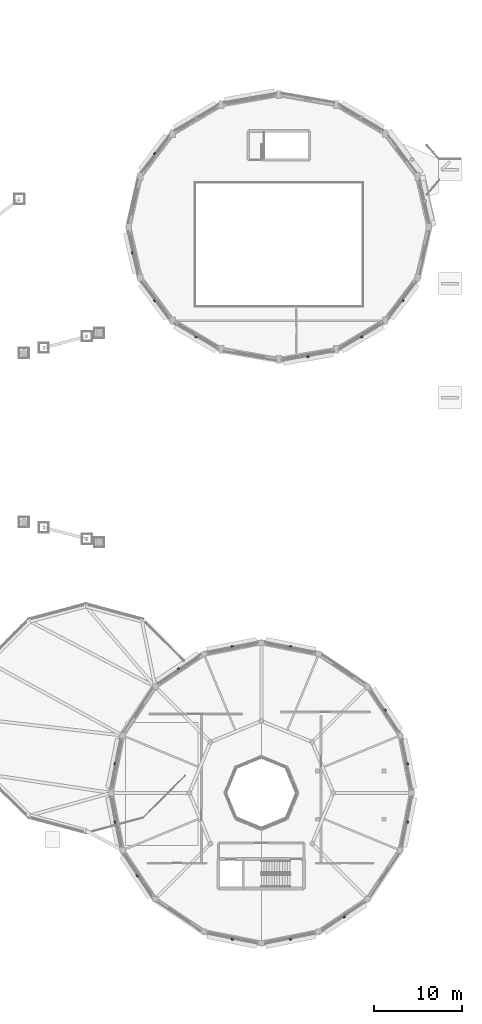
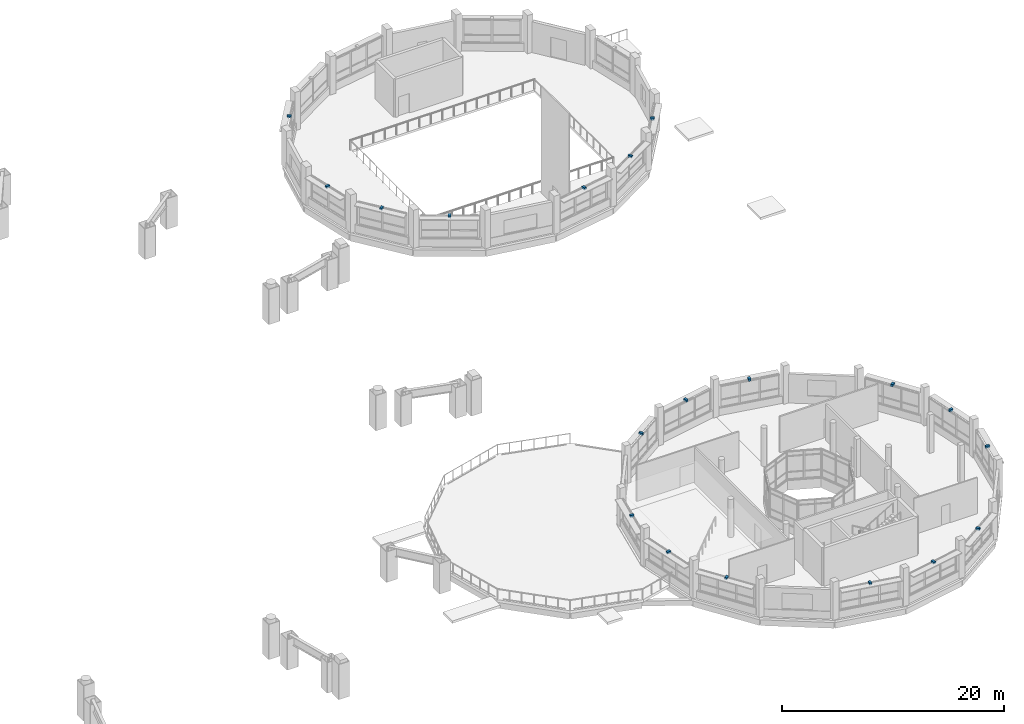
# One storey, part 118 of 128: 19 discrete accessories.
"""IFC4 building model written with IfcOpenShell, lengths in metres."""

import ifcopenshell
import ifcopenshell.guid

model = None  # the IFC model being written
_history = None  # IfcOwnerHistory: only IFC2X3 demands one
_inside = {}  # id of a spatial element -> (the spatial element, [elements in it])
_under = {}  # id of a project, library or spatial element -> (it, [spatial elements below it])
_declared = {}  # id of a project -> (the project, [libraries it declares])
_typed = {}  # id of a type object -> (the type object, [elements of that type])
_made_of = {}  # id of a material, layer set ... -> (it, [elements and type objects made of it])


def new_model(schema):
    """Start an empty IFC model of exactly this schema.

    Asked for "IFC4X3", IfcOpenShell would pick the latest addendum, in which some entities
    have other attributes; the version numbers below select the first issue.
    IFC2X3 requires an IfcOwnerHistory on every rooted entity: one is made here for all.
    """
    global model, _history
    if schema == "IFC4X3":
        model = ifcopenshell.file(schema_version=(4, 3, 0, 0))
    else:
        model = ifcopenshell.file(schema=schema)
    _inside.clear()
    _under.clear()
    _declared.clear()
    _typed.clear()
    _made_of.clear()
    _history = None
    if model.schema == "IFC2X3":
        org = make("IfcOrganization", Name="unknown")
        user = make(
            "IfcPersonAndOrganization",
            ThePerson=make("IfcPerson", FamilyName="unknown"),
            TheOrganization=org,
        )
        app = make(
            "IfcApplication",
            ApplicationDeveloper=org,
            Version="unknown",
            ApplicationFullName="unknown",
            ApplicationIdentifier="unknown",
        )
        _history = make(
            "IfcOwnerHistory",
            OwningUser=user,
            OwningApplication=app,
            ChangeAction="ADDED",
            CreationDate=0,
        )
    return model


def make(cls, **values):
    """One entity of the class cls with the attributes given. An attribute that is None is left unset."""
    return model.create_entity(
        cls, **{name: value for name, value in values.items() if value is not None}
    )


def rooted(cls, **values):
    """An entity with a GlobalId (a new one), such as an element, a storey or a relation."""
    return make(cls, GlobalId=ifcopenshell.guid.new(), OwnerHistory=_history, **values)


def si_unit(unit_type, name, prefix=None):
    """IfcSIUnit, for example si_unit("LENGTHUNIT", "METRE", prefix="MILLI")."""
    return make("IfcSIUnit", UnitType=unit_type, Prefix=prefix, Name=name)


def assignment(units):
    """IfcUnitAssignment: the units of a project."""
    return None if units is None else make("IfcUnitAssignment", Units=units)


def point(xyz):
    """IfcCartesianPoint."""
    return None if xyz is None else make("IfcCartesianPoint", Coordinates=xyz)


def direction(xyz):
    """IfcDirection."""
    return None if xyz is None else make("IfcDirection", DirectionRatios=xyz)


def frame(location, z_axis=None, x_axis=None):
    """IfcAxis2Placement3D, a coordinate frame: its origin and axes. An axis left out is left unset."""
    return make(
        "IfcAxis2Placement3D",
        Location=point(location),
        Axis=direction(z_axis),
        RefDirection=direction(x_axis),
    )


def frame_2d(location, x_axis=None):
    """IfcAxis2Placement2D, a coordinate frame in the plane: its origin and x axis."""
    return make(
        "IfcAxis2Placement2D", Location=point(location), RefDirection=direction(x_axis)
    )


def origin():
    """The frame at (0, 0, 0) with its axes left unset."""
    return frame((0.0, 0.0, 0.0))


def origin_2d():
    """The frame at (0, 0) in the plane with its x axis left unset."""
    return frame_2d((0.0, 0.0))


def place(relative_to, where):
    """IfcLocalPlacement: puts the frame where relative to a parent placement (None: the world)."""
    return make(
        "IfcLocalPlacement", PlacementRelTo=relative_to, RelativePlacement=where
    )


def context(
    kind, dimensions, precision=None, world=None, true_north=None, identifier=None
):
    """IfcGeometricRepresentationContext, for example the 3D "Model" context."""
    return make(
        "IfcGeometricRepresentationContext",
        ContextIdentifier=identifier,
        ContextType=kind,
        CoordinateSpaceDimension=dimensions,
        Precision=precision,
        WorldCoordinateSystem=world,
        TrueNorth=true_north,
    )


def subcontext(parent, identifier, kind, view, scale=None):
    """IfcGeometricRepresentationSubContext, for example "Body" below "Model"."""
    return make(
        "IfcGeometricRepresentationSubContext",
        ContextIdentifier=identifier,
        ContextType=kind,
        ParentContext=parent,
        TargetScale=scale,
        TargetView=view,
    )


def project(units=None, contexts=None):
    """IfcProject with its units and contexts."""
    return rooted(
        "IfcProject",
        Name="project",
        RepresentationContexts=contexts,
        UnitsInContext=assignment(units),
    )


def spatial(cls, under=None, at=None, **own):
    """A site, building, storey or space (cls), placed at a placement, below another one or the project."""
    s = rooted(cls, ObjectPlacement=at, **own)
    if under is not None:
        _under.setdefault(under.id(), (under, []))[1].append(s)
    return s


def profile(cls, at=None, kind="AREA", **sizes):
    """A parametric profile (cls). Its sizes go by their IFC names, for example OverallWidth=200.0."""
    return make(cls, ProfileType=kind, Position=at, **sizes)


def rectangle(**sizes):
    """IfcRectangleProfileDef."""
    return profile("IfcRectangleProfileDef", **sizes)


def extrude(swept, where, along, depth):
    """IfcExtrudedAreaSolid: the profile swept, set in the frame where, extruded along a direction by depth."""
    return make(
        "IfcExtrudedAreaSolid",
        SweptArea=swept,
        Position=where,
        ExtrudedDirection=direction(along),
        Depth=depth,
    )


def shape(context_of_items, identifier, shape_type, items):
    """IfcShapeRepresentation: the items that make up one representation, for example the "Body"."""
    return make(
        "IfcShapeRepresentation",
        ContextOfItems=context_of_items,
        RepresentationIdentifier=identifier,
        RepresentationType=shape_type,
        Items=items,
    )


def material(Name=None, Category=None):
    """IfcMaterial."""
    return make("IfcMaterial", Name=Name, Category=Category)


def made_of(thing, what):
    """Note that an element or type object is made of a material, layer set ...; save() writes the relation."""
    if what is not None:
        _made_of.setdefault(what.id(), (what, []))[1].append(thing)
    return thing


def type_object(cls, material=None, **own):
    """A type object (cls), such as IfcWallType, which elements share."""
    return made_of(rooted(cls, **own), material)


def element(
    cls,
    number,
    at=None,
    inside=None,
    cuts=None,
    type_object=None,
    material=None,
    context=None,
    identifier="Body",
    shape_type=None,
    held_by="IfcProductDefinitionShape",
    body=None,
    shapes=None,
    **own,
):
    """One element of the class cls, such as IfcWall. Its Tag is "e" and its number.

    at: its placement. inside: the storey or other place that contains it. cuts: it is an
    opening in that element (IfcRelVoidsElement). A single representation is given by context,
    identifier, shape_type and body (its items); several are given by shapes. held_by: the class
    of the entity that holds the representations. save() writes the other relations.
    """
    e = rooted(cls, Tag="e%d" % number, ObjectPlacement=at, **own)
    if body is not None:
        shapes = [shape(context, identifier, shape_type, body)]
    if shapes is not None:
        e.Representation = make(held_by, Representations=shapes)
    if inside is not None:
        _inside.setdefault(inside.id(), (inside, []))[1].append(e)
    if cuts is not None:
        rooted(
            "IfcRelVoidsElement", RelatingBuildingElement=cuts, RelatedOpeningElement=e
        )
    if type_object is not None:
        _typed.setdefault(type_object.id(), (type_object, []))[1].append(e)
    return made_of(e, material)


def aggregate(whole, parts):
    """IfcRelAggregates: a whole, such as a stair, and the parts it consists of."""
    return rooted("IfcRelAggregates", RelatingObject=whole, RelatedObjects=parts)


def save(model, path):
    """Write the relations noted so far, then the file.

    IfcRelAggregates (storeys below a building ...), IfcRelContainedInSpatialStructure (elements
    in a storey), IfcRelDefinesByType, IfcRelAssociatesMaterial and IfcRelDeclares: one each for
    every whole, place, type object, material and project.
    """
    for whole, parts in _under.values():
        aggregate(whole, parts)
    for where, things in _inside.values():
        rooted(
            "IfcRelContainedInSpatialStructure",
            RelatedElements=things,
            RelatingStructure=where,
        )
    for kind, things in _typed.values():
        rooted("IfcRelDefinesByType", RelatedObjects=things, RelatingType=kind)
    for what, things in _made_of.values():
        rooted("IfcRelAssociatesMaterial", RelatedObjects=things, RelatingMaterial=what)
    for by, libraries in _declared.values():
        rooted("IfcRelDeclares", RelatingContext=by, RelatedDefinitions=libraries)
    model.write(path)


model = new_model("IFC4")

# Units and contexts
model_context = context("Model", 3, precision=1e-05, world=origin(), true_north=direction((0.0, 1.0)))
body_context = subcontext(model_context, "Body", "Model", "MODEL_VIEW")
ifc_project = project(units=[si_unit("LENGTHUNIT", "METRE"), si_unit("AREAUNIT", "SQUARE_METRE"), si_unit("VOLUMEUNIT", "CUBIC_METRE"), si_unit("PLANEANGLEUNIT", "RADIAN"), si_unit("MASSUNIT", "GRAM", prefix="KILO")], contexts=[model_context])

# Site, building, storey
site_placement = place(None, origin())
site = spatial("IfcSite", under=ifc_project, at=site_placement, CompositionType="ELEMENT")
building_placement = place(site_placement, origin())
building = spatial("IfcBuilding", under=site, at=building_placement, Name="Vespera Passage Community Centre", CompositionType="ELEMENT")
storey_placement = place(building_placement, frame((0.0, 0.0, 4.5)))
storey = spatial("IfcBuildingStorey", under=building, at=storey_placement, Name="L01", CompositionType="ELEMENT", Elevation=4.5)

# Discrete accessories
ifc_material = material(Name="Steel ASTM A572 Grade 50", Category="steel")
discrete_accessory_type = type_object("IfcDiscreteAccessoryType", Name="ACC-BRACKET", PredefinedType="BRACKET", material=ifc_material)
for number, where, z_axis, x_axis, name in (
    (1, (128.927490234375, 97.824462890625, 3.23486328125), (0.0, 0.0, 1.0), (0.603402856255, 0.7974365135, 0.0), "V2 L01 Solar Eyebrow 7 Bracket"),
    (2, (126.394775390625, 86.57568359375, 3.23486328125), (0.0, 0.0, 1.0), (-0.219744045409, 0.975557560838, 0.0), "V2 L01 Solar Eyebrow 9 Bracket"),
    (3, (128.927490234375, 81.175537109375, 3.23486328125), (0.0, 0.0, 1.0), (-0.603402856255, 0.7974365135, 0.0), "V2 L01 Solar Eyebrow 10 Bracket"),
    (4, (133.60107421875, 77.048095703125, 3.23486328125), (0.0, 0.0, 1.0), (-0.861248014559, 0.508184865396, 0.0), "V2 L01 Solar Eyebrow 11 Bracket"),
    (5, (146.299560546875, 74.817138671875, 3.23486328125), (0.0, 0.0, 1.0), (-0.984922704244, -0.172994990288, 0.0), "V2 L01 Solar Eyebrow 13 Bracket"),
    (6, (152.39892578125, 77.048095703125, 3.23486328125), (0.0, 0.0, 1.0), (-0.861248014559, -0.508184865396, 0.0), "V2 L01 Solar Eyebrow 14 Bracket"),
    (7, (157.072509765625, 81.175537109375, 3.23486328125), (0.0, 0.0, 1.0), (-0.603402856255, -0.7974365135, 0.0), "V2 L01 Solar Eyebrow 15 Bracket"),
    (8, (157.58642578125, 28.29931640625, 3.06494140625), (0.0, 0.0, 1.0), (0.195090322016, -0.980785280403, 0.0), "V3 L01 Solar Eyebrow 1 Bracket"),
    (9, (155.061279296875, 34.3955078125, 3.06494140625), (0.0, 0.0, 1.0), (0.555555721053, -0.831479308706, 0.0), "V3 L01 Solar Eyebrow 2 Bracket"),
    (10, (144.29931640625, 41.58642578125, 3.06494140625), (0.0, 0.0, 1.0), (0.980785280403, -0.195090322016, 0.0), "V3 L01 Solar Eyebrow 4 Bracket"),
    (11, (137.70068359375, 41.58642578125, 3.06494140625), (0.0, 0.0, 1.0), (0.980785280403, 0.195090322016, 0.0), "V3 L01 Solar Eyebrow 5 Bracket"),
    (12, (131.6044921875, 39.061279296875, 3.06494140625), (0.0, 0.0, 1.0), (0.831479308706, 0.555555721053, 0.0), "V3 L01 Solar Eyebrow 6 Bracket"),
    (13, (124.41357421875, 28.29931640625, 3.06494140625), (0.0, 0.0, 1.0), (0.195090322016, 0.980785280403, 0.0), "V3 L01 Solar Eyebrow 8 Bracket"),
    (14, (124.41357421875, 21.70068359375, 3.06494140625), (0.0, 0.0, 1.0), (-0.195090322016, 0.980785280403, 0.0), "V3 L01 Solar Eyebrow 9 Bracket"),
    (15, (126.938720703125, 15.6044921875, 3.06494140625), (0.0, 0.0, 1.0), (-0.555555721053, 0.831479308706, 0.0), "V3 L01 Solar Eyebrow 10 Bracket"),
    (16, (137.70068359375, 8.41357421875, 3.06494140625), (0.0, 0.0, 1.0), (-0.980785280403, 0.195090322016, 0.0), "V3 L01 Solar Eyebrow 12 Bracket"),
    (17, (144.29931640625, 8.41357421875, 3.06494140625), (0.0, 0.0, 1.0), (-0.980785280403, -0.195090322016, 0.0), "V3 L01 Solar Eyebrow 13 Bracket"),
    (18, (150.3955078125, 10.938720703125, 3.06494140625), (0.0, 0.0, 1.0), (-0.831479308706, -0.555555721053, 0.0), "V3 L01 Solar Eyebrow 14 Bracket"),
    (19, (157.58642578125, 21.70068359375, 3.06494140625), (0.0, 0.0, 1.0), (-0.195090322016, -0.980785280403, 0.0), "V3 L01 Solar Eyebrow 16 Bracket"),
):
    element("IfcDiscreteAccessory", number, at=place(storey_placement, frame(where, z_axis=z_axis, x_axis=x_axis)), inside=storey, type_object=discrete_accessory_type, Name=name, PredefinedType="BRACKET", context=body_context, shape_type="SweptSolid", body=[
        extrude(rectangle(XDim=0.239990234375, YDim=0.3798828125, at=origin_2d()), origin(), (0.0, 0.0, 1.0), 0.239990234375),
    ])

save(model, "model.ifc")
